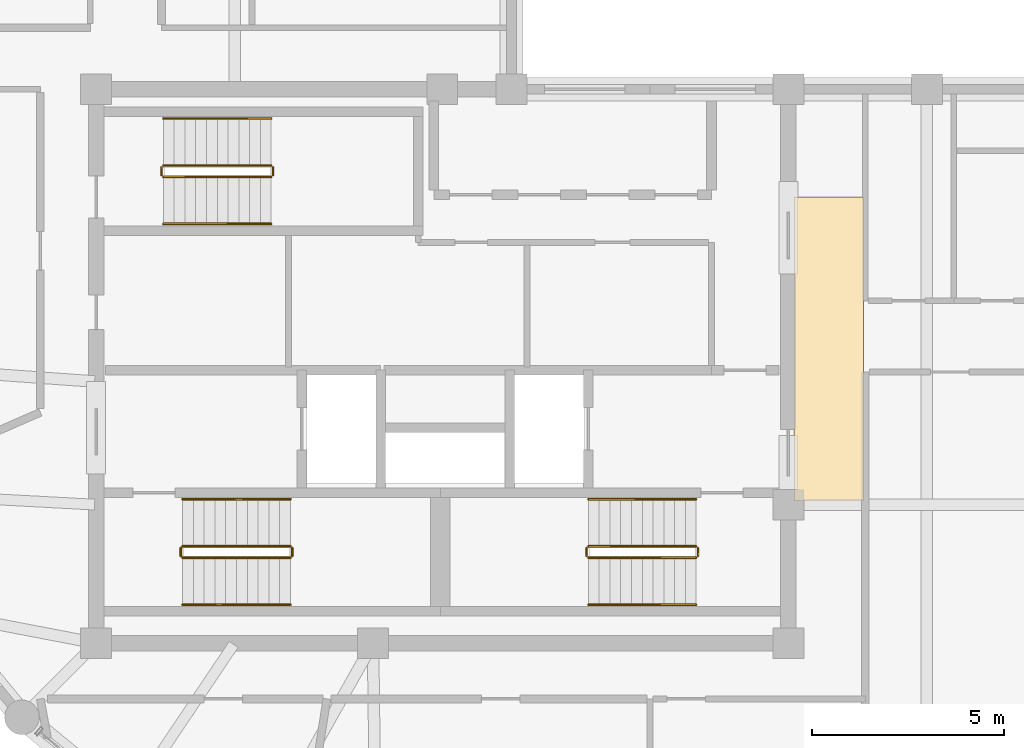
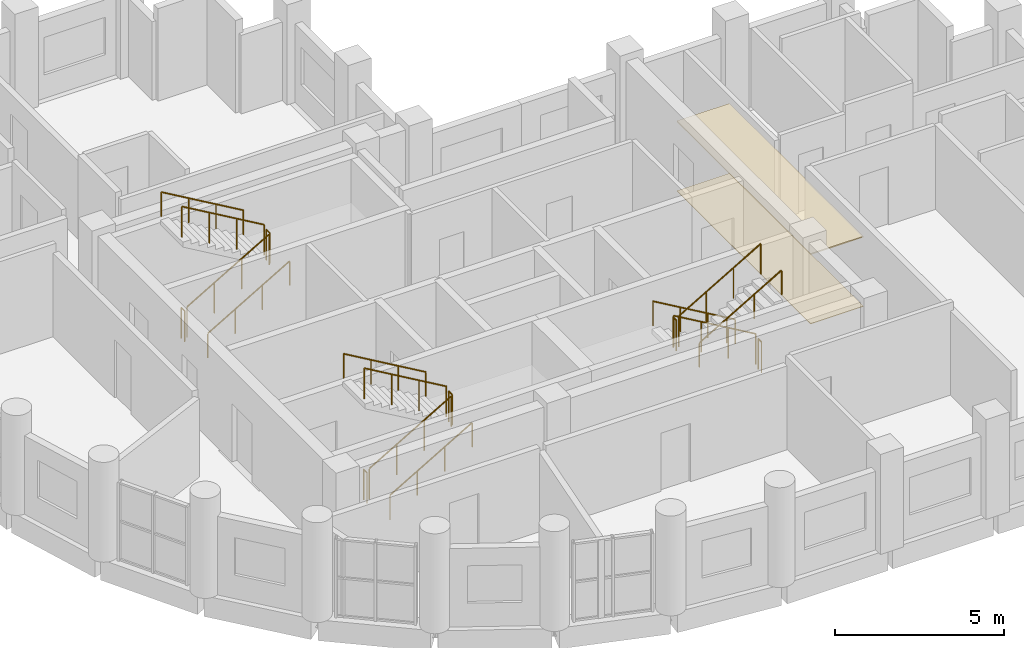
# One storey, part 11 of 11: 18 railings, 2 coverings.
"""IFC4 building model written with IfcOpenShell, lengths in metres."""

from ifc_helpers import new_model, si_unit, direction, frame, origin, origin_2d, place, context, subcontext, project, spatial, polyline, circle, outline, extrude, material, layer, layer_set, type_object, element, save


model = new_model("IFC4")

# Units and contexts
model_context = context("Model", 3, precision=1e-05, world=origin(), true_north=direction((0.0, 1.0)))
body_context = subcontext(model_context, "Body", "Model", "MODEL_VIEW")
ifc_project = project(units=[si_unit("LENGTHUNIT", "METRE"), si_unit("AREAUNIT", "SQUARE_METRE"), si_unit("VOLUMEUNIT", "CUBIC_METRE"), si_unit("PLANEANGLEUNIT", "RADIAN"), si_unit("MASSUNIT", "GRAM", prefix="KILO")], contexts=[model_context])

# Site, building, storey
site_placement = place(None, origin())
site = spatial("IfcSite", under=ifc_project, at=site_placement, CompositionType="ELEMENT")
building_placement = place(site_placement, origin())
building = spatial("IfcBuilding", under=site, at=building_placement, Name="Solnavia Interchange Tower", CompositionType="ELEMENT")
storey_placement = place(building_placement, frame((0.0, 0.0, 239.0)))
storey = spatial("IfcBuildingStorey", under=building, at=storey_placement, Name="L60", CompositionType="ELEMENT", Elevation=239.0)

# Coverings
ifc_material_1 = material(Name="Perforated Mineral-Fibre & Gypsum Ceiling", Category="gypsum")
ifc_layer_1 = layer(ifc_material_1, 0.0400390625)
ifc_layer_set_1 = layer_set([ifc_layer_1], Name="Perforated Mineral-Fibre & Gypsum Ceiling")
covering_type_1 = type_object("IfcCoveringType", Name="Covering-Ceiling-Acoustic40", PredefinedType="CEILING", material=ifc_layer_set_1)
covering_1_placement = place(storey_placement, frame((0.0, 0.0, 2.5)))
element("IfcCovering", 1, at=covering_1_placement, inside=storey, type_object=covering_type_1, Name="CLG-L60-01 Circulation suspended acoustic ceiling", PredefinedType="CEILING", context=body_context, shape_type="SweptSolid", body=[
    extrude(outline(polyline([(32.550048828125, 14.5), (34.35009765625, 14.5), (34.35009765625, 22.39990234375), (32.550048828125, 22.39990234375), (32.550048828125, 14.5)])), origin(), (0.0, 0.0, 1.0), 0.0400390625),
])
ifc_material_2 = material(Name="Engineered European Oak Flooring", Category="wood")
ifc_layer_2 = layer(ifc_material_2, 0.02001953125)
ifc_layer_set_2 = layer_set([ifc_layer_2], Name="Engineered European Oak Flooring")
covering_type_2 = type_object("IfcCoveringType", Name="Covering-Flooring-Timber20", PredefinedType="FLOORING", material=ifc_layer_set_2)
covering_2_placement = place(storey_placement, origin())
element("IfcCovering", 2, at=covering_2_placement, inside=storey, type_object=covering_type_2, Name="FLR-L60-01 Circulation floor finish", PredefinedType="FLOORING", context=body_context, shape_type="SweptSolid", body=[
    extrude(outline(polyline([(32.550048828125, 14.5), (34.35009765625, 14.5), (34.35009765625, 22.39990234375), (32.550048828125, 22.39990234375), (32.550048828125, 14.5)])), origin(), (0.0, 0.0, 1.0), 0.02001953125),
])

# Railings
ifc_material_3 = material(Name="Painted Steel Balustrade", Category="steel")
railing_type_1 = type_object("IfcRailingType", Name="Railing-StairGuard-1100", PredefinedType="GUARDRAIL", material=ifc_material_3)
railing_1_placement = place(storey_placement, frame((16.64990234375, 13.02001953125, 0.16357421875)))
element("IfcRailing", 3, at=railing_1_placement, inside=storey, type_object=railing_type_1, Name="L60 ST-1 stair guard 1", PredefinedType="GUARDRAIL", context=body_context, shape_type="SweptSolid", body=[
    extrude(circle(Radius=0.02392578125, at=origin_2d()), frame((0.0, 0.0, 1.09619140625), z_axis=(0.863360870873, 0.0, 0.504586966384), x_axis=(0.0, 1.0, 0.0)), (0.0, 0.0, 1.0), 3.2431640625),
    extrude(circle(Radius=0.02099609375, at=origin_2d()), origin(), (0.0, 0.0, 1.0), 1.072021484375),
    extrude(circle(Radius=0.02099609375, at=origin_2d()), frame((0.933349609375, 0.0, 0.54541015625)), (0.0, 0.0, 1.0), 1.072021484375),
    extrude(circle(Radius=0.02099609375, at=origin_2d()), frame((1.86669921875, 0.0, 1.091064453125)), (0.0, 0.0, 1.0), 1.072021484375),
    extrude(circle(Radius=0.02099609375, at=origin_2d()), frame((2.800048828125, 0.0, 1.636474609375)), (0.0, 0.0, 1.0), 1.072021484375),
])
railing_2_placement = place(storey_placement, frame((19.5, 13.070068359375, 1.800048828125)))
element("IfcRailing", 4, at=railing_2_placement, inside=storey, type_object=railing_type_1, Name="L60 ST-1 stair guard 2", PredefinedType="GUARDRAIL", context=body_context, shape_type="SweptSolid", body=[
    extrude(circle(Radius=0.02392578125, at=origin_2d()), frame((0.0, 0.0, 1.09619140625), z_axis=(0.0, 1.0, 0.0), x_axis=(-1.0, 0.0, 0.0)), (0.0, 0.0, 1.0), 0.199951171875),
    extrude(circle(Radius=0.02099609375, at=origin_2d()), origin(), (0.0, 0.0, 1.0), 1.072021484375),
    extrude(circle(Radius=0.02099609375, at=origin_2d()), frame((0.0, 0.199951171875, 0.0)), (0.0, 0.0, 1.0), 1.072021484375),
])
railing_3_placement = place(storey_placement, frame((19.449951171875, 13.320068359375, 1.963623046875)))
element("IfcRailing", 5, at=railing_3_placement, inside=storey, type_object=railing_type_1, Name="L60 ST-1 stair guard 3", PredefinedType="GUARDRAIL", context=body_context, shape_type="SweptSolid", body=[
    extrude(circle(Radius=0.02392578125, at=origin_2d()), frame((0.0, 0.0, 1.09619140625), z_axis=(-0.863360870873, 0.0, 0.504586966384), x_axis=(0.0, -1.0, 0.0)), (0.0, 0.0, 1.0), 3.2431640625),
    extrude(circle(Radius=0.02099609375, at=origin_2d()), origin(), (0.0, 0.0, 1.0), 1.072021484375),
    extrude(circle(Radius=0.02099609375, at=origin_2d()), frame((-0.933349609375, 0.0, 0.54541015625)), (0.0, 0.0, 1.0), 1.072021484375),
    extrude(circle(Radius=0.02099609375, at=origin_2d()), frame((-1.86669921875, 0.0, 1.091064453125)), (0.0, 0.0, 1.0), 1.072021484375),
    extrude(circle(Radius=0.02099609375, at=origin_2d()), frame((-2.800048828125, 0.0, 1.636474609375)), (0.0, 0.0, 1.0), 1.072021484375),
])
railing_4_placement = place(storey_placement, frame((16.60009765625, 13.070068359375, 0.0)))
element("IfcRailing", 6, at=railing_4_placement, inside=storey, type_object=railing_type_1, Name="L60 ST-1 stair guard 4", PredefinedType="GUARDRAIL", context=body_context, shape_type="SweptSolid", body=[
    extrude(circle(Radius=0.02392578125, at=origin_2d()), frame((0.0, 0.0, 1.09619140625), z_axis=(0.0, 1.0, 0.0), x_axis=(-1.0, 0.0, 0.0)), (0.0, 0.0, 1.0), 0.199951171875),
    extrude(circle(Radius=0.02099609375, at=origin_2d()), origin(), (0.0, 0.0, 1.0), 1.072021484375),
    extrude(circle(Radius=0.02099609375, at=origin_2d()), frame((0.0, 0.199951171875, 0.0)), (0.0, 0.0, 1.0), 1.072021484375),
])
railing_5_placement = place(storey_placement, frame((30.0, 13.320068359375, 0.16357421875)))
element("IfcRailing", 7, at=railing_5_placement, inside=storey, type_object=railing_type_1, Name="L60 ST-2 stair guard 1", PredefinedType="GUARDRAIL", context=body_context, shape_type="SweptSolid", body=[
    extrude(circle(Radius=0.02392578125, at=origin_2d()), frame((0.0, 0.0, 1.09619140625), z_axis=(-0.863360870873, 0.0, 0.504586966384), x_axis=(0.0, -1.0, 0.0)), (0.0, 0.0, 1.0), 3.2431640625),
    extrude(circle(Radius=0.02099609375, at=origin_2d()), origin(), (0.0, 0.0, 1.0), 1.072021484375),
    extrude(circle(Radius=0.02099609375, at=origin_2d()), frame((-0.933349609375, 0.0, 0.54541015625)), (0.0, 0.0, 1.0), 1.072021484375),
    extrude(circle(Radius=0.02099609375, at=origin_2d()), frame((-1.86669921875, 0.0, 1.091064453125)), (0.0, 0.0, 1.0), 1.072021484375),
    extrude(circle(Radius=0.02099609375, at=origin_2d()), frame((-2.800048828125, 0.0, 1.636474609375)), (0.0, 0.0, 1.0), 1.072021484375),
])
railing_6_placement = place(storey_placement, frame((27.14990234375, 13.27001953125, 1.800048828125)))
element("IfcRailing", 8, at=railing_6_placement, inside=storey, type_object=railing_type_1, Name="L60 ST-2 stair guard 2", PredefinedType="GUARDRAIL", context=body_context, shape_type="SweptSolid", body=[
    extrude(circle(Radius=0.02392578125, at=origin_2d()), frame((0.0, 0.0, 1.09619140625), z_axis=(0.0, -1.0, 0.0), x_axis=(1.0, 0.0, 0.0)), (0.0, 0.0, 1.0), 0.199951171875),
    extrude(circle(Radius=0.02099609375, at=origin_2d()), origin(), (0.0, 0.0, 1.0), 1.072021484375),
    extrude(circle(Radius=0.02099609375, at=origin_2d()), frame((0.0, -0.199951171875, 0.0)), (0.0, 0.0, 1.0), 1.072021484375),
])
railing_7_placement = place(storey_placement, frame((27.199951171875, 13.02001953125, 1.963623046875)))
element("IfcRailing", 9, at=railing_7_placement, inside=storey, type_object=railing_type_1, Name="L60 ST-2 stair guard 3", PredefinedType="GUARDRAIL", context=body_context, shape_type="SweptSolid", body=[
    extrude(circle(Radius=0.02392578125, at=origin_2d()), frame((0.0, 0.0, 1.09619140625), z_axis=(0.863360870873, 0.0, 0.504586966384), x_axis=(0.0, 1.0, 0.0)), (0.0, 0.0, 1.0), 3.2431640625),
    extrude(circle(Radius=0.02099609375, at=origin_2d()), origin(), (0.0, 0.0, 1.0), 1.072021484375),
    extrude(circle(Radius=0.02099609375, at=origin_2d()), frame((0.933349609375, 0.0, 0.54541015625)), (0.0, 0.0, 1.0), 1.072021484375),
    extrude(circle(Radius=0.02099609375, at=origin_2d()), frame((1.86669921875, 0.0, 1.091064453125)), (0.0, 0.0, 1.0), 1.072021484375),
    extrude(circle(Radius=0.02099609375, at=origin_2d()), frame((2.800048828125, 0.0, 1.636474609375)), (0.0, 0.0, 1.0), 1.072021484375),
])
railing_8_placement = place(storey_placement, frame((30.050048828125, 13.27001953125, 0.0)))
element("IfcRailing", 10, at=railing_8_placement, inside=storey, type_object=railing_type_1, Name="L60 ST-2 stair guard 4", PredefinedType="GUARDRAIL", context=body_context, shape_type="SweptSolid", body=[
    extrude(circle(Radius=0.02392578125, at=origin_2d()), frame((0.0, 0.0, 1.09619140625), z_axis=(0.0, -1.0, 0.0), x_axis=(1.0, 0.0, 0.0)), (0.0, 0.0, 1.0), 0.199951171875),
    extrude(circle(Radius=0.02099609375, at=origin_2d()), origin(), (0.0, 0.0, 1.0), 1.072021484375),
    extrude(circle(Radius=0.02099609375, at=origin_2d()), frame((0.0, -0.199951171875, 0.0)), (0.0, 0.0, 1.0), 1.072021484375),
])
railing_9_placement = place(storey_placement, frame((16.14990234375, 22.919921875, 0.16357421875)))
element("IfcRailing", 11, at=railing_9_placement, inside=storey, type_object=railing_type_1, Name="L60 ST-3 stair guard 1", PredefinedType="GUARDRAIL", context=body_context, shape_type="SweptSolid", body=[
    extrude(circle(Radius=0.02392578125, at=origin_2d()), frame((0.0, 0.0, 1.09619140625), z_axis=(0.863360870873, 0.0, 0.504586966384), x_axis=(0.0, 1.0, 0.0)), (0.0, 0.0, 1.0), 3.2431640625),
    extrude(circle(Radius=0.02099609375, at=origin_2d()), origin(), (0.0, 0.0, 1.0), 1.072021484375),
    extrude(circle(Radius=0.02099609375, at=origin_2d()), frame((0.933349609375, 0.0, 0.54541015625)), (0.0, 0.0, 1.0), 1.072021484375),
    extrude(circle(Radius=0.02099609375, at=origin_2d()), frame((1.86669921875, 0.0, 1.091064453125)), (0.0, 0.0, 1.0), 1.072021484375),
    extrude(circle(Radius=0.02099609375, at=origin_2d()), frame((2.800048828125, 0.0, 1.636474609375)), (0.0, 0.0, 1.0), 1.072021484375),
])
railing_10_placement = place(storey_placement, frame((19.0, 22.969970703125, 1.800048828125)))
element("IfcRailing", 12, at=railing_10_placement, inside=storey, type_object=railing_type_1, Name="L60 ST-3 stair guard 2", PredefinedType="GUARDRAIL", context=body_context, shape_type="SweptSolid", body=[
    extrude(circle(Radius=0.02392578125, at=origin_2d()), frame((0.0, 0.0, 1.09619140625), z_axis=(0.0, 1.0, 0.0), x_axis=(-1.0, 0.0, 0.0)), (0.0, 0.0, 1.0), 0.199951171875),
    extrude(circle(Radius=0.02099609375, at=origin_2d()), origin(), (0.0, 0.0, 1.0), 1.072021484375),
    extrude(circle(Radius=0.02099609375, at=origin_2d()), frame((0.0, 0.199951171875, 0.0)), (0.0, 0.0, 1.0), 1.072021484375),
])
railing_11_placement = place(storey_placement, frame((18.949951171875, 23.219970703125, 1.963623046875)))
element("IfcRailing", 13, at=railing_11_placement, inside=storey, type_object=railing_type_1, Name="L60 ST-3 stair guard 3", PredefinedType="GUARDRAIL", context=body_context, shape_type="SweptSolid", body=[
    extrude(circle(Radius=0.02392578125, at=origin_2d()), frame((0.0, 0.0, 1.09619140625), z_axis=(-0.863360870873, 0.0, 0.504586966384), x_axis=(0.0, -1.0, 0.0)), (0.0, 0.0, 1.0), 3.2431640625),
    extrude(circle(Radius=0.02099609375, at=origin_2d()), origin(), (0.0, 0.0, 1.0), 1.072021484375),
    extrude(circle(Radius=0.02099609375, at=origin_2d()), frame((-0.933349609375, 0.0, 0.54541015625)), (0.0, 0.0, 1.0), 1.072021484375),
    extrude(circle(Radius=0.02099609375, at=origin_2d()), frame((-1.86669921875, 0.0, 1.091064453125)), (0.0, 0.0, 1.0), 1.072021484375),
    extrude(circle(Radius=0.02099609375, at=origin_2d()), frame((-2.800048828125, 0.0, 1.636474609375)), (0.0, 0.0, 1.0), 1.072021484375),
])
railing_12_placement = place(storey_placement, frame((16.10009765625, 22.969970703125, 0.0)))
element("IfcRailing", 14, at=railing_12_placement, inside=storey, type_object=railing_type_1, Name="L60 ST-3 stair guard 4", PredefinedType="GUARDRAIL", context=body_context, shape_type="SweptSolid", body=[
    extrude(circle(Radius=0.02392578125, at=origin_2d()), frame((0.0, 0.0, 1.09619140625), z_axis=(0.0, 1.0, 0.0), x_axis=(-1.0, 0.0, 0.0)), (0.0, 0.0, 1.0), 0.199951171875),
    extrude(circle(Radius=0.02099609375, at=origin_2d()), origin(), (0.0, 0.0, 1.0), 1.072021484375),
    extrude(circle(Radius=0.02099609375, at=origin_2d()), frame((0.0, 0.199951171875, 0.0)), (0.0, 0.0, 1.0), 1.072021484375),
])
ifc_material_4 = material(Name="Brushed Stainless Steel", Category="steel")
railing_type_2 = type_object("IfcRailingType", Name="Railing-StairHandrail-900", PredefinedType="HANDRAIL", material=ifc_material_4)
railing_13_placement = place(storey_placement, frame((16.64990234375, 11.800048828125, 0.16357421875)))
element("IfcRailing", 15, at=railing_13_placement, inside=storey, type_object=railing_type_2, Name="L60 ST-1 stair handrail 1", PredefinedType="HANDRAIL", context=body_context, shape_type="SweptSolid", body=[
    extrude(circle(Radius=0.02392578125, at=origin_2d()), frame((0.0, 0.0, 0.8759765625), z_axis=(0.863360870873, 0.0, 0.504586966384), x_axis=(0.0, 1.0, 0.0)), (0.0, 0.0, 1.0), 3.2431640625),
    extrude(circle(Radius=0.02099609375, at=origin_2d()), origin(), (0.0, 0.0, 1.0), 0.851806640625),
    extrude(circle(Radius=0.02099609375, at=origin_2d()), frame((0.933349609375, 0.0, 0.54541015625)), (0.0, 0.0, 1.0), 0.851806640625),
    extrude(circle(Radius=0.02099609375, at=origin_2d()), frame((1.86669921875, 0.0, 1.091064453125)), (0.0, 0.0, 1.0), 0.851806640625),
    extrude(circle(Radius=0.02099609375, at=origin_2d()), frame((2.800048828125, 0.0, 1.636474609375)), (0.0, 0.0, 1.0), 0.851806640625),
])
for number, where, name in (
    (16, (19.449951171875, 14.5400390625, 1.963623046875), "L60 ST-1 stair handrail 2"),
    (17, (30.0, 14.5400390625, 0.16357421875), "L60 ST-2 stair handrail 1"),
):
    element("IfcRailing", number, at=place(storey_placement, frame(where)), inside=storey, type_object=railing_type_2, Name=name, PredefinedType="HANDRAIL", context=body_context, shape_type="SweptSolid", body=[
        extrude(circle(Radius=0.02392578125, at=origin_2d()), frame((0.0, 0.0, 0.8759765625), z_axis=(-0.863360870873, 0.0, 0.504586966384), x_axis=(0.0, -1.0, 0.0)), (0.0, 0.0, 1.0), 3.2431640625),
        extrude(circle(Radius=0.02099609375, at=origin_2d()), origin(), (0.0, 0.0, 1.0), 0.851806640625),
        extrude(circle(Radius=0.02099609375, at=origin_2d()), frame((-0.933349609375, 0.0, 0.54541015625)), (0.0, 0.0, 1.0), 0.851806640625),
        extrude(circle(Radius=0.02099609375, at=origin_2d()), frame((-1.86669921875, 0.0, 1.091064453125)), (0.0, 0.0, 1.0), 0.851806640625),
        extrude(circle(Radius=0.02099609375, at=origin_2d()), frame((-2.800048828125, 0.0, 1.636474609375)), (0.0, 0.0, 1.0), 0.851806640625),
    ])
for number, where, name in (
    (18, (27.199951171875, 11.800048828125, 1.963623046875), "L60 ST-2 stair handrail 2"),
    (19, (16.14990234375, 21.699951171875, 0.16357421875), "L60 ST-3 stair handrail 1"),
):
    element("IfcRailing", number, at=place(storey_placement, frame(where)), inside=storey, type_object=railing_type_2, Name=name, PredefinedType="HANDRAIL", context=body_context, shape_type="SweptSolid", body=[
        extrude(circle(Radius=0.02392578125, at=origin_2d()), frame((0.0, 0.0, 0.8759765625), z_axis=(0.863360870873, 0.0, 0.504586966384), x_axis=(0.0, 1.0, 0.0)), (0.0, 0.0, 1.0), 3.2431640625),
        extrude(circle(Radius=0.02099609375, at=origin_2d()), origin(), (0.0, 0.0, 1.0), 0.851806640625),
        extrude(circle(Radius=0.02099609375, at=origin_2d()), frame((0.933349609375, 0.0, 0.54541015625)), (0.0, 0.0, 1.0), 0.851806640625),
        extrude(circle(Radius=0.02099609375, at=origin_2d()), frame((1.86669921875, 0.0, 1.091064453125)), (0.0, 0.0, 1.0), 0.851806640625),
        extrude(circle(Radius=0.02099609375, at=origin_2d()), frame((2.800048828125, 0.0, 1.636474609375)), (0.0, 0.0, 1.0), 0.851806640625),
    ])
railing_14_placement = place(storey_placement, frame((18.949951171875, 24.43994140625, 1.963623046875)))
element("IfcRailing", 20, at=railing_14_placement, inside=storey, type_object=railing_type_2, Name="L60 ST-3 stair handrail 2", PredefinedType="HANDRAIL", context=body_context, shape_type="SweptSolid", body=[
    extrude(circle(Radius=0.02392578125, at=origin_2d()), frame((0.0, 0.0, 0.8759765625), z_axis=(-0.863360870873, 0.0, 0.504586966384), x_axis=(0.0, -1.0, 0.0)), (0.0, 0.0, 1.0), 3.2431640625),
    extrude(circle(Radius=0.02099609375, at=origin_2d()), origin(), (0.0, 0.0, 1.0), 0.851806640625),
    extrude(circle(Radius=0.02099609375, at=origin_2d()), frame((-0.933349609375, 0.0, 0.54541015625)), (0.0, 0.0, 1.0), 0.851806640625),
    extrude(circle(Radius=0.02099609375, at=origin_2d()), frame((-1.86669921875, 0.0, 1.091064453125)), (0.0, 0.0, 1.0), 0.851806640625),
    extrude(circle(Radius=0.02099609375, at=origin_2d()), frame((-2.800048828125, 0.0, 1.636474609375)), (0.0, 0.0, 1.0), 0.851806640625),
])

save(model, "model.ifc")
